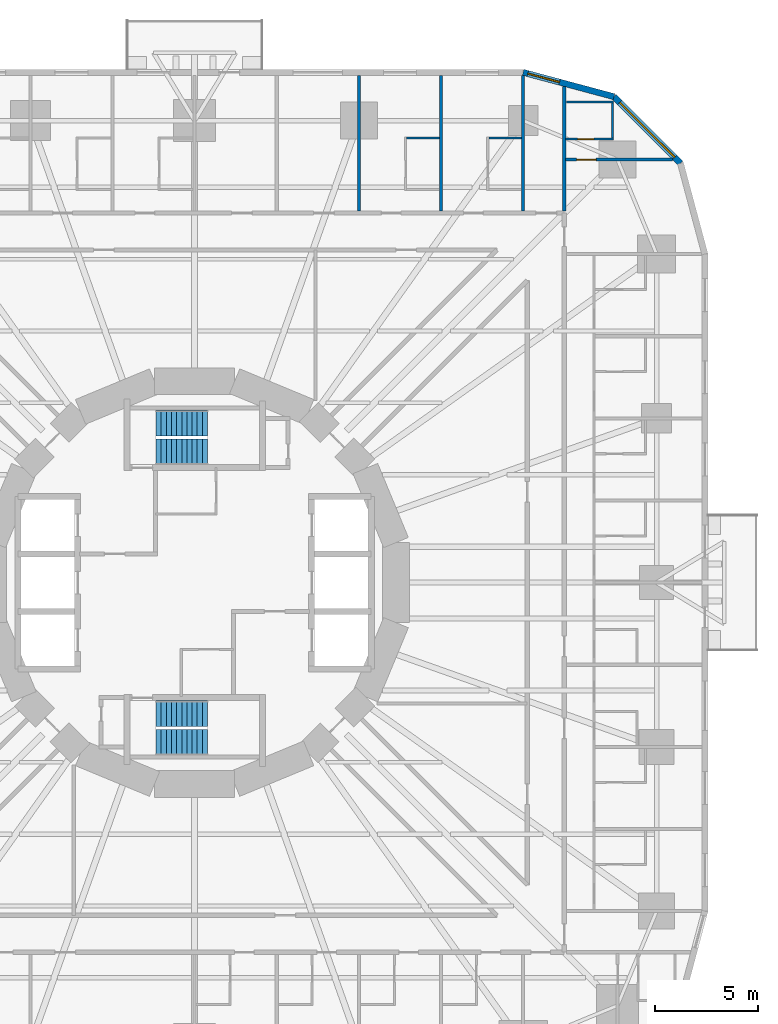
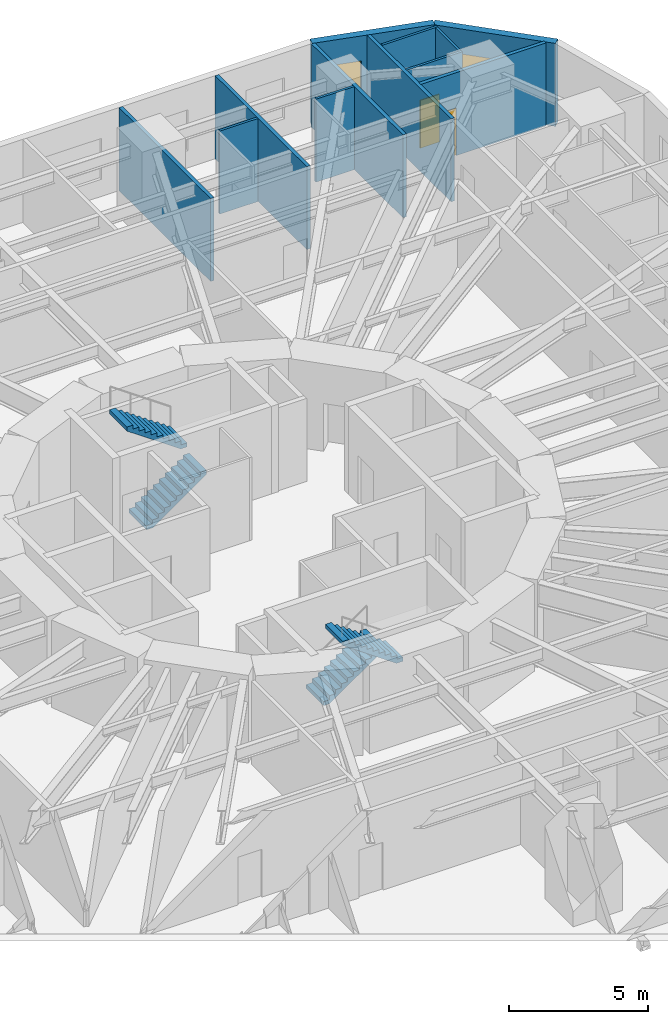
# One storey, part 12 of 14: 12 walls, 4 stair flights, 2 doors, 2 windows, 4 openings, 2 elements without a shape of their own.
"""IFC4 building model written with IfcOpenShell, lengths in metres."""

from ifc_helpers import new_model, si_unit, direction, frame, frame_2d, origin, place, context, subcontext, project, spatial, polyline, rectangle, outline, extrude, material, layer, layer_set, type_object, element, fill, aggregate, save


model = new_model("IFC4")

# Units and contexts
model_context = context("Model", 3, precision=1e-05, world=origin(), true_north=direction((0.0, 1.0)))
body_context = subcontext(model_context, "Body", "Model", "MODEL_VIEW")
ifc_project = project(units=[si_unit("LENGTHUNIT", "METRE"), si_unit("AREAUNIT", "SQUARE_METRE"), si_unit("VOLUMEUNIT", "CUBIC_METRE"), si_unit("PLANEANGLEUNIT", "RADIAN"), si_unit("MASSUNIT", "GRAM", prefix="KILO")], contexts=[model_context])

# Site, building, storey
site_placement = place(None, origin())
site = spatial("IfcSite", under=ifc_project, at=site_placement, CompositionType="ELEMENT")
building_placement = place(site_placement, origin())
building = spatial("IfcBuilding", under=site, at=building_placement, Name="Nakasero Lantern House", CompositionType="ELEMENT")
storey_placement = place(building_placement, frame((0.0, 0.0, 42.949951171875)))
storey = spatial("IfcBuildingStorey", under=building, at=storey_placement, Name="L10", CompositionType="ELEMENT", Elevation=42.949951171875)

# Wall, opening, door
ifc_material_1 = material(Name="Blockwork", Category="masonry")
ifc_layer_1 = layer(ifc_material_1, 0.10009765625)
ifc_layer_set_1 = layer_set([ifc_layer_1], Name="En-suite wall 100")
wall_type_1 = type_object("IfcWallType", Name="En-suite wall 100", PredefinedType="PARTITIONING", material=ifc_layer_set_1)
wall_1_placement = place(storey_placement, frame((18.06494140625, 21.59619140625, 0.0), z_axis=(0.0, 0.0, 1.0), x_axis=(1.0, 0.0, 0.0)))
wall_1 = element("IfcWall", 1, at=wall_1_placement, inside=storey, type_object=wall_type_1, Name="En-suite wall L10 ES0-09", PredefinedType="PARTITIONING", context=body_context, shape_type="SweptSolid", body=[
    extrude(rectangle(XDim=2.3349609375, YDim=0.10009765625, at=frame_2d((1.16748046875, 0.0))), origin(), (0.0, 0.0, 1.0), 3.650146484375),
])
opening_1_placement = place(wall_1_placement, frame((0.5849609375, 0.0, 0.0)))
opening_1 = element("IfcOpeningElement", 2, at=opening_1_placement, cuts=wall_1, Name="Opening D02", PredefinedType="OPENING", context=body_context, shape_type="SweptSolid", body=[
    extrude(rectangle(XDim=0.800048828125, YDim=2.10009765625, at=frame_2d((0.39990234375, 1.050048828125))), frame((0.0, 0.070068359375, 0.0), z_axis=(0.0, -1.0, 0.0), x_axis=(1.0, 0.0, 0.0)), (0.0, 0.0, 1.0), 0.14013671875),
])
ifc_material_2 = material(Name="Timber C24", Category="wood")
door_type_1 = type_object("IfcDoorType", Name="En-suite door 800", OperationType="SINGLE_SWING_RIGHT", PredefinedType="DOOR", material=ifc_material_2)
door_1_placement = place(opening_1_placement, origin())
door_1 = element("IfcDoor", 3, at=door_1_placement, inside=storey, type_object=door_type_1, Name="Door L10 DE0-09", OperationType="SINGLE_SWING_LEFT", OverallHeight=2.10009765625, OverallWidth=0.800048828125, PredefinedType="DOOR", context=body_context, shape_type="SweptSolid", body=[
    extrude(rectangle(XDim=0.800048828125, YDim=2.10009765625, at=frame_2d((0.39990234375, 1.050048828125))), frame((0.0, 0.02490234375, 0.0), z_axis=(0.0, -1.0, 0.0), x_axis=(1.0, 0.0, 0.0)), (0.0, 0.0, 1.0), 0.050048828125),
])
fill(opening_1, door_1)

# Walls
wall_2_placement = place(storey_placement, frame((20.35009765625, 21.646240234375, 0.0), z_axis=(0.0, 0.0, 1.0), x_axis=(0.0, 1.0, 0.0)))
element("IfcWall", 4, at=wall_2_placement, inside=storey, type_object=wall_type_1, Name="En-suite wall L10 EE0-09", PredefinedType="PARTITIONING", context=body_context, shape_type="SweptSolid", body=[
    extrude(rectangle(XDim=1.699951171875, YDim=0.10009765625, at=frame_2d((0.85009765625, 0.0))), origin(), (0.0, 0.0, 1.0), 3.650146484375),
])
wall_3_placement = place(storey_placement, frame((18.10009765625, 23.396240234375, 0.0), z_axis=(0.0, 0.0, 1.0), x_axis=(1.0, 0.0, 0.0)))
element("IfcWall", 5, at=wall_3_placement, inside=storey, type_object=wall_type_1, Name="En-suite wall L10 EV0-09", PredefinedType="PARTITIONING", context=body_context, shape_type="SweptSolid", body=[
    extrude(rectangle(XDim=2.2998046875, YDim=0.10009765625, at=frame_2d((1.14990234375, 0.0))), origin(), (0.0, 0.0, 1.0), 3.650146484375),
])
for number, where, z_axis, x_axis, name in (
    (6, (15.925048828125, 21.64990234375, 0.0), (0.0, 0.0, 1.0), (-1.0, 0.0, 0.0), "En-suite wall L10 EE1-01"),
    (7, (11.925048828125, 21.64990234375, 0.0), (0.0, 0.0, 1.0), (-1.0, 0.0, 0.0), "En-suite wall L10 EE1-02"),
):
    element("IfcWall", number, at=place(storey_placement, frame(where, z_axis=z_axis, x_axis=x_axis)), inside=storey, type_object=wall_type_1, Name=name, PredefinedType="PARTITIONING", context=body_context, shape_type="SweptSolid", body=[
        extrude(rectangle(XDim=1.60009765625, YDim=0.10009765625, at=frame_2d((0.800048828125, 0.0))), origin(), (0.0, 0.0, 1.0), 3.650146484375),
    ])

# Wall, opening, window
ifc_material_3 = material(Name="Aluminium rainscreen on blockwork", Category="masonry")
ifc_layer_2 = layer(ifc_material_3, 0.300048828125)
ifc_layer_set_2 = layer_set([ifc_layer_2], Name="Facade wall 300")
wall_type_2 = type_object("IfcWallType", Name="Facade wall 300", PredefinedType="SOLIDWALL", material=ifc_layer_set_2)
wall_4_placement = place(storey_placement, frame((23.664306640625, 20.425048828125, 0.0), z_axis=(0.0, 0.0, 1.0), x_axis=(-0.707106781187, 0.707106781187, 0.0)))
wall_4 = element("IfcWall", 8, at=wall_4_placement, inside=storey, type_object=wall_type_2, Name="Facade wall L10 FW0C2", PredefinedType="SOLIDWALL", context=body_context, shape_type="SweptSolid", body=[
    extrude(rectangle(XDim=4.5810546875, YDim=0.300048828125, at=frame_2d((2.29052734375, 0.0))), origin(), (0.0, 0.0, 1.0), 3.650146484375),
])
opening_2_placement = place(wall_4_placement, frame((0.39990234375, 0.0, 0.75)))
opening_2 = element("IfcOpeningElement", 9, at=opening_2_placement, cuts=wall_4, Name="Opening W237", PredefinedType="OPENING", context=body_context, shape_type="SweptSolid", body=[
    extrude(rectangle(XDim=3.781005859375, YDim=1.800048828125, at=frame_2d((1.890625, 0.89990234375))), frame((0.0, 0.169921875, 0.0), z_axis=(0.0, -1.0, 0.0), x_axis=(1.0, 0.0, 0.0)), (0.0, 0.0, 1.0), 0.340087890625),
])
ifc_material_4 = material(Name="Aluminium 6063-T6 and glass", Category="aluminium")
window_type_1 = type_object("IfcWindowType", Name="Corner window 3781x1800", PartitioningType="SINGLE_PANEL", PredefinedType="WINDOW", material=ifc_material_4)
window_1_placement = place(opening_2_placement, origin())
window_1 = element("IfcWindow", 10, at=window_1_placement, inside=storey, type_object=window_type_1, Name="Window L10 WC0", OverallHeight=1.800048828125, OverallWidth=3.781005859375, PartitioningType="SINGLE_PANEL", PredefinedType="WINDOW", context=body_context, shape_type="SweptSolid", body=[
    extrude(rectangle(XDim=3.781005859375, YDim=1.800048828125, at=frame_2d((1.890625, 0.89990234375))), frame((0.0, 0.030029296875, 0.0), z_axis=(0.0, -1.0, 0.0), x_axis=(1.0, 0.0, 0.0)), (0.0, 0.0, 1.0), 0.06005859375),
])
fill(opening_2, window_1)

wall_5_placement = place(storey_placement, frame((20.425048828125, 23.664306640625, 0.0), z_axis=(0.0, 0.0, 1.0), x_axis=(-0.965920218567, 0.258839972501, 0.0)))
wall_5 = element("IfcWall", 11, at=wall_5_placement, inside=storey, type_object=wall_type_2, Name="Facade wall L10 FW0C3", PredefinedType="SOLIDWALL", context=body_context, shape_type="SweptSolid", body=[
    extrude(rectangle(XDim=4.5810546875, YDim=0.300048828125, at=frame_2d((2.29052734375, 0.0))), origin(), (0.0, 0.0, 1.0), 3.650146484375),
])
opening_3_placement = place(wall_5_placement, frame((2.74609375, 0.0, 0.75)))
opening_3 = element("IfcOpeningElement", 12, at=opening_3_placement, cuts=wall_5, Name="Opening W01", PredefinedType="OPENING", context=body_context, shape_type="SweptSolid", body=[
    extrude(rectangle(XDim=1.60009765625, YDim=1.800048828125, at=frame_2d((0.800048828125, 0.89990234375))), frame((0.0, 0.169921875, 0.0), z_axis=(0.0, -1.0, 0.0), x_axis=(1.0, 0.0, 0.0)), (0.0, 0.0, 1.0), 0.340087890625),
])
ifc_material_5 = material(Name="Aluminium 6063-T6 and glass", Category="aluminium")
window_type_2 = type_object("IfcWindowType", Name="Bedroom window 1600x1800", PartitioningType="SINGLE_PANEL", PredefinedType="WINDOW", material=ifc_material_5)
window_2_placement = place(opening_3_placement, origin())
window_2 = element("IfcWindow", 13, at=window_2_placement, inside=storey, type_object=window_type_2, Name="Window L10 WN1-00", OverallHeight=1.800048828125, OverallWidth=1.60009765625, PartitioningType="SINGLE_PANEL", PredefinedType="WINDOW", context=body_context, shape_type="SweptSolid", body=[
    extrude(rectangle(XDim=1.60009765625, YDim=1.800048828125, at=frame_2d((0.800048828125, 0.89990234375))), frame((0.0, 0.030029296875, 0.0), z_axis=(0.0, -1.0, 0.0), x_axis=(1.0, 0.0, 0.0)), (0.0, 0.0, 1.0), 0.06005859375),
])
fill(opening_3, window_2)

# Wall, opening, door
ifc_material_6 = material(Name="Blockwork", Category="masonry")
ifc_layer_3 = layer(ifc_material_6, 0.14990234375)
ifc_layer_set_3 = layer_set([ifc_layer_3], Name="Party wall 150")
wall_type_3 = type_object("IfcWallType", Name="Party wall 150", PredefinedType="PARTITIONING", material=ifc_layer_set_3)
wall_6_placement = place(storey_placement, frame((18.06494140625, 20.59619140625, 0.0), z_axis=(0.0, 0.0, 1.0), x_axis=(1.0, 0.0, 0.0)))
wall_6 = element("IfcWall", 14, at=wall_6_placement, inside=storey, type_object=wall_type_3, Name="Party wall L10 PC0", PredefinedType="PARTITIONING", context=body_context, shape_type="SweptSolid", body=[
    extrude(rectangle(XDim=5.208740234375, YDim=0.14990234375, at=frame_2d((2.6044921875, 0.0))), origin(), (0.0, 0.0, 1.0), 3.650146484375),
])
opening_4_placement = place(wall_6_placement, frame((0.534912109375, 0.0, 0.0)))
opening_4 = element("IfcOpeningElement", 15, at=opening_4_placement, cuts=wall_6, Name="Opening D01", PredefinedType="OPENING", context=body_context, shape_type="SweptSolid", body=[
    extrude(rectangle(XDim=0.949951171875, YDim=2.10009765625, at=frame_2d((0.47509765625, 1.050048828125))), frame((0.0, 0.094970703125, 0.0), z_axis=(0.0, -1.0, 0.0), x_axis=(1.0, 0.0, 0.0)), (0.0, 0.0, 1.0), 0.18994140625),
])
ifc_material_7 = material(Name="Timber C24", Category="wood")
door_type_2 = type_object("IfcDoorType", Name="Bedroom door FD30S 950", OperationType="SINGLE_SWING_LEFT", PredefinedType="DOOR", material=ifc_material_7)
door_2_placement = place(opening_4_placement, origin())
door_2 = element("IfcDoor", 16, at=door_2_placement, inside=storey, type_object=door_type_2, Name="Door L10 DC0", OperationType="SINGLE_SWING_LEFT", OverallHeight=2.10009765625, OverallWidth=0.949951171875, PredefinedType="DOOR", context=body_context, shape_type="SweptSolid", body=[
    extrude(rectangle(XDim=0.949951171875, YDim=2.10009765625, at=frame_2d((0.47509765625, 1.050048828125))), frame((0.0, 0.02490234375, 0.0), z_axis=(0.0, -1.0, 0.0), x_axis=(1.0, 0.0, 0.0)), (0.0, 0.0, 1.0), 0.050048828125),
])
fill(opening_4, door_2)

# Walls
wall_7_placement = place(storey_placement, frame((18.0, 18.10009765625, 0.0), z_axis=(0.0, 0.0, 1.0), x_axis=(0.0, 1.0, 0.0)))
element("IfcWall", 17, at=wall_7_placement, inside=storey, type_object=wall_type_3, Name="Party wall L10 PW1-00", PredefinedType="PARTITIONING", context=body_context, shape_type="SweptSolid", body=[
    extrude(rectangle(XDim=6.053466796875, YDim=0.14990234375, at=frame_2d((3.02685546875, 0.0))), origin(), (0.0, 0.0, 1.0), 3.650146484375),
])
wall_8_placement = place(storey_placement, frame((16.0, 18.10009765625, 0.0), z_axis=(0.0, 0.0, 1.0), x_axis=(0.0, 1.0, 0.0)))
element("IfcWall", 18, at=wall_8_placement, inside=storey, type_object=wall_type_3, Name="Party wall L10 PW1-01", PredefinedType="PARTITIONING", context=body_context, shape_type="SweptSolid", body=[
    extrude(rectangle(XDim=6.58935546875, YDim=0.14990234375, at=frame_2d((3.294677734375, 0.0))), origin(), (0.0, 0.0, 1.0), 3.650146484375),
])
for number, where, z_axis, x_axis, name in (
    (19, (12.0, 18.10009765625, 0.0), (0.0, 0.0, 1.0), (0.0, 1.0, 0.0), "Party wall L10 PW1-02"),
    (20, (8.0, 18.10009765625, 0.0), (0.0, 0.0, 1.0), (0.0, 1.0, 0.0), "Party wall L10 PW1-03"),
):
    element("IfcWall", number, at=place(storey_placement, frame(where, z_axis=z_axis, x_axis=x_axis)), inside=storey, type_object=wall_type_3, Name=name, PredefinedType="PARTITIONING", context=body_context, shape_type="SweptSolid", body=[
        extrude(rectangle(XDim=6.599853515625, YDim=0.14990234375, at=frame_2d((3.2998046875, 0.0))), origin(), (0.0, 0.0, 1.0), 3.650146484375),
    ])

# Stair, stair flights
ifc_material_8 = material(Name="Concrete C40/50", Category="concrete")
stair_type_1 = type_object("IfcStairType", Name="Escape stair ST1 22 risers", PredefinedType="HALF_TURN_STAIR", material=ifc_material_8)
stair_1_placement = place(storey_placement, origin())
stair_1 = element("IfcStair", 21, at=stair_1_placement, inside=storey, type_object=stair_type_1, Name="Escape stair ST1 L10", PredefinedType="HALF_TURN_STAIR")
ifc_material_9 = material(Name="Concrete C40/50", Category="concrete")
stair_flight_type = type_object("IfcStairFlightType", Name="Escape stair flight", PredefinedType="STRAIGHT", material=ifc_material_9)
stair_flight_1_placement = place(storey_placement, frame((-1.875, 6.375, 0.0), z_axis=(0.0, 0.0, 1.0), x_axis=(1.0, 0.0, 0.0)))
stair_flight_1 = element("IfcStairFlight", 22, at=stair_flight_1_placement, type_object=stair_flight_type, Name="ST1 flight 1", NumberOfRisers=11, NumberOfTreads=10, PredefinedType="STRAIGHT", RiserHeight=0.175, TreadLength=0.25, context=body_context, shape_type="SweptSolid", body=[
    extrude(outline(polyline([(0.0, 0.0), (0.0, 0.175048828125), (0.25, 0.175048828125), (0.25, 0.35009765625), (0.5, 0.35009765625), (0.5, 0.52490234375), (0.75, 0.52490234375), (0.75, 0.699951171875), (1.0, 0.699951171875), (1.0, 0.875), (1.25, 0.875), (1.25, 1.050048828125), (1.5, 1.050048828125), (1.5, 1.22509765625), (1.75, 1.22509765625), (1.75, 1.39990234375), (2.0, 1.39990234375), (2.0, 1.574951171875), (2.25, 1.574951171875), (2.25, 1.75), (2.5, 1.75), (2.5, 1.925048828125), (2.5, 1.567138671875), (0.261474609375, 0.0), (0.0, 0.0)])), frame((0.0, 0.625, 0.0), z_axis=(0.0, -1.0, 0.0), x_axis=(1.0, 0.0, 0.0)), (0.0, 0.0, 1.0), 1.25),
])
stair_flight_2_placement = place(storey_placement, frame((0.625, 7.77490234375, 1.925048828125), z_axis=(0.0, 0.0, 1.0), x_axis=(-1.0, 0.0, 0.0)))
stair_flight_2 = element("IfcStairFlight", 23, at=stair_flight_2_placement, type_object=stair_flight_type, Name="ST1 flight 2", NumberOfRisers=11, NumberOfTreads=10, PredefinedType="STRAIGHT", RiserHeight=0.175, TreadLength=0.25, context=body_context, shape_type="SweptSolid", body=[
    extrude(outline(polyline([(0.0, 0.0), (0.0, 0.175048828125), (0.25, 0.175048828125), (0.25, 0.35009765625), (0.5, 0.35009765625), (0.5, 0.52490234375), (0.75, 0.52490234375), (0.75, 0.699951171875), (1.0, 0.699951171875), (1.0, 0.875), (1.25, 0.875), (1.25, 1.050048828125), (1.5, 1.050048828125), (1.5, 1.22509765625), (1.75, 1.22509765625), (1.75, 1.39990234375), (2.0, 1.39990234375), (2.0, 1.574951171875), (2.25, 1.574951171875), (2.25, 1.75), (2.5, 1.75), (2.5, 1.925048828125), (2.5, 1.567138671875), (0.261474609375, 0.0), (0.0, 0.0)])), frame((0.0, 0.625, 0.0), z_axis=(0.0, -1.0, 0.0), x_axis=(1.0, 0.0, 0.0)), (0.0, 0.0, 1.0), 1.25),
])
aggregate(stair_1, [stair_flight_1, stair_flight_2])

ifc_material_10 = material(Name="Concrete C40/50", Category="concrete")
stair_type_2 = type_object("IfcStairType", Name="Escape stair ST2 22 risers", PredefinedType="HALF_TURN_STAIR", material=ifc_material_10)
stair_2_placement = place(storey_placement, origin())
stair_2 = element("IfcStair", 24, at=stair_2_placement, inside=storey, type_object=stair_type_2, Name="Escape stair ST2 L10", PredefinedType="HALF_TURN_STAIR")
stair_flight_3_placement = place(storey_placement, frame((-1.875, -6.375, 0.0), z_axis=(0.0, 0.0, 1.0), x_axis=(1.0, 0.0, 0.0)))
stair_flight_3 = element("IfcStairFlight", 25, at=stair_flight_3_placement, type_object=stair_flight_type, Name="ST2 flight 1", NumberOfRisers=11, NumberOfTreads=10, PredefinedType="STRAIGHT", RiserHeight=0.175, TreadLength=0.25, context=body_context, shape_type="SweptSolid", body=[
    extrude(outline(polyline([(0.0, 0.0), (0.0, 0.175048828125), (0.25, 0.175048828125), (0.25, 0.35009765625), (0.5, 0.35009765625), (0.5, 0.52490234375), (0.75, 0.52490234375), (0.75, 0.699951171875), (1.0, 0.699951171875), (1.0, 0.875), (1.25, 0.875), (1.25, 1.050048828125), (1.5, 1.050048828125), (1.5, 1.22509765625), (1.75, 1.22509765625), (1.75, 1.39990234375), (2.0, 1.39990234375), (2.0, 1.574951171875), (2.25, 1.574951171875), (2.25, 1.75), (2.5, 1.75), (2.5, 1.925048828125), (2.5, 1.567138671875), (0.261474609375, 0.0), (0.0, 0.0)])), frame((0.0, 0.625, 0.0), z_axis=(0.0, -1.0, 0.0), x_axis=(1.0, 0.0, 0.0)), (0.0, 0.0, 1.0), 1.25),
])
stair_flight_4_placement = place(storey_placement, frame((0.625, -7.77490234375, 1.925048828125), z_axis=(0.0, 0.0, 1.0), x_axis=(-1.0, 0.0, 0.0)))
stair_flight_4 = element("IfcStairFlight", 26, at=stair_flight_4_placement, type_object=stair_flight_type, Name="ST2 flight 2", NumberOfRisers=11, NumberOfTreads=10, PredefinedType="STRAIGHT", RiserHeight=0.175, TreadLength=0.25, context=body_context, shape_type="SweptSolid", body=[
    extrude(outline(polyline([(0.0, 0.0), (0.0, 0.175048828125), (0.25, 0.175048828125), (0.25, 0.35009765625), (0.5, 0.35009765625), (0.5, 0.52490234375), (0.75, 0.52490234375), (0.75, 0.699951171875), (1.0, 0.699951171875), (1.0, 0.875), (1.25, 0.875), (1.25, 1.050048828125), (1.5, 1.050048828125), (1.5, 1.22509765625), (1.75, 1.22509765625), (1.75, 1.39990234375), (2.0, 1.39990234375), (2.0, 1.574951171875), (2.25, 1.574951171875), (2.25, 1.75), (2.5, 1.75), (2.5, 1.925048828125), (2.5, 1.567138671875), (0.261474609375, 0.0), (0.0, 0.0)])), frame((0.0, 0.625, 0.0), z_axis=(0.0, -1.0, 0.0), x_axis=(1.0, 0.0, 0.0)), (0.0, 0.0, 1.0), 1.25),
])
aggregate(stair_2, [stair_flight_3, stair_flight_4])

save(model, "model.ifc")
